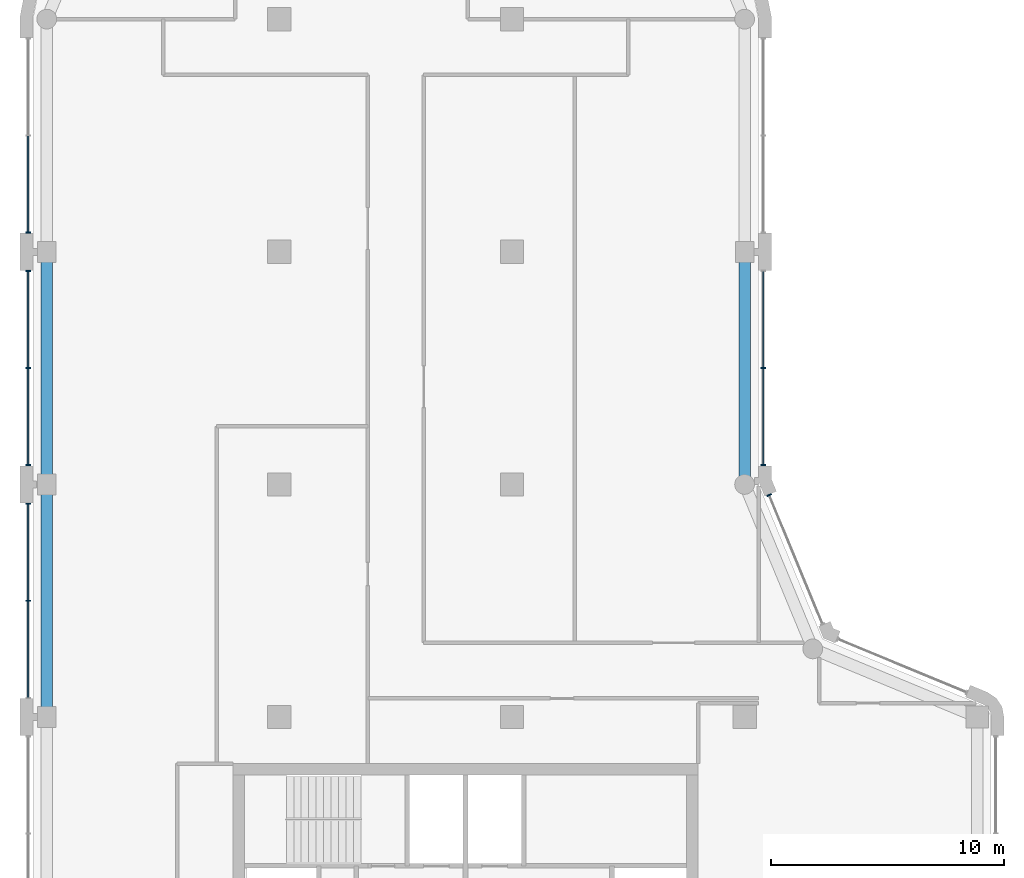
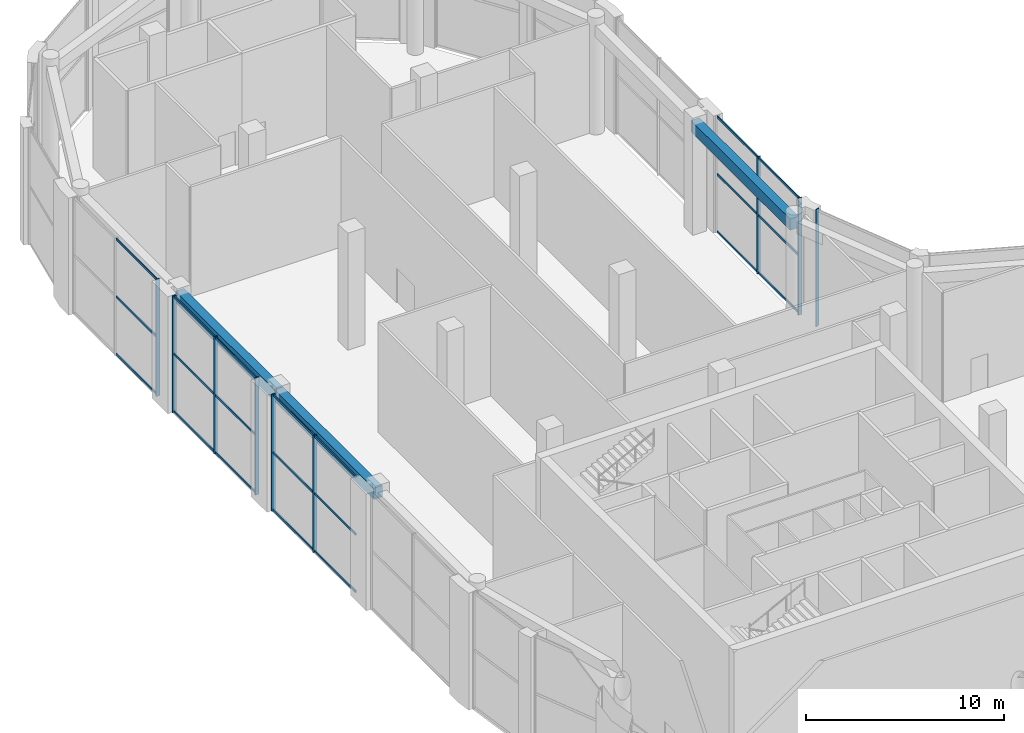
# One storey, part 5 of 14: 30 members, 3 beams, 5 elements without a shape of their own.
"""IFC4 building model written with IfcOpenShell, lengths in metres."""

from ifc_helpers import new_model, si_unit, direction, frame, origin, origin_2d, place, context, subcontext, project, spatial, rectangle, extrude, material, layer, layer_set, material_profile, profile_set, type_object, element, aggregate, save


model = new_model("IFC4")

# Units and contexts
model_context = context("Model", 3, precision=1e-05, world=origin(), true_north=direction((0.0, 1.0)))
body_context = subcontext(model_context, "Body", "Model", "MODEL_VIEW")
ifc_project = project(units=[si_unit("LENGTHUNIT", "METRE"), si_unit("AREAUNIT", "SQUARE_METRE"), si_unit("VOLUMEUNIT", "CUBIC_METRE"), si_unit("PLANEANGLEUNIT", "RADIAN"), si_unit("MASSUNIT", "GRAM", prefix="KILO")], contexts=[model_context])

# Site, building, storey
site_placement = place(None, origin())
site = spatial("IfcSite", under=ifc_project, at=site_placement, CompositionType="ELEMENT")
building_placement = place(site_placement, origin())
building = spatial("IfcBuilding", under=site, at=building_placement, Name="Qaws Garden Tower", CompositionType="ELEMENT")
storey_placement = place(building_placement, frame((0.0, 0.0, 358.199951171875)))
storey = spatial("IfcBuildingStorey", under=building, at=storey_placement, Name="L87", CompositionType="ELEMENT", Elevation=358.199951171875)

# Curtain wall, member
ifc_material_1 = material(Name="Anodised aluminium curtain wall frame", Category="aluminium")
ifc_layer = layer(ifc_material_1, 0.159912109375)
ifc_layer_set = layer_set([ifc_layer], Name="Anodised aluminium curtain wall frame")
curtain_wall_type = type_object("IfcCurtainWallType", Name="CW3 observation glazing curtain wall", PredefinedType="NOTDEFINED", material=ifc_layer_set)
placement = place(storey_placement, origin())
curtain_wall_1 = element("IfcCurtainWall", 1, at=placement, inside=storey, type_object=curtain_wall_type, Name="CW3 Observation glazing 06", PredefinedType="NOTDEFINED")
ifc_material_2 = material(Name="Anodised aluminium curtain wall frame", Category="aluminium")
ifc_material_profile_1 = material_profile(ifc_material_2, rectangle(XDim=0.219970703125, YDim=0.06005859375, at=origin_2d()), Name="AL 60x220")
ifc_profile_set_1 = profile_set([ifc_material_profile_1], Name="Anodised aluminium curtain wall frame")
member_type_1 = type_object("IfcMemberType", Name="CW3 mullion 60 x 220", PredefinedType="MULLION", material=ifc_profile_set_1)
member_1_placement = place(storey_placement, frame((31.056640625, 39.539306640625, 0.0), z_axis=(0.0, 0.0, 1.0), x_axis=(-0.923879532538, -0.382683432301, 0.0)))
member_1 = element("IfcMember", 2, at=member_1_placement, type_object=member_type_1, Name="CW3 mullion 2", PredefinedType="MULLION", context=body_context, shape_type="SweptSolid", body=[
    extrude(rectangle(XDim=0.219970703125, YDim=0.06005859375, at=origin_2d()), origin(), (0.0, 0.0, 1.0), 7.199951171875),
])
aggregate(curtain_wall_1, [member_1])

# Curtain wall, members
curtain_wall_2 = element("IfcCurtainWall", 3, at=placement, inside=storey, type_object=curtain_wall_type, Name="CW3 Observation glazing 07", PredefinedType="NOTDEFINED")
member_2_placement = place(storey_placement, frame((30.800048828125, 40.830078125, 0.0), z_axis=(0.0, 0.0, 1.0), x_axis=(-1.0, 0.0, 0.0)))
member_2 = element("IfcMember", 4, at=member_2_placement, type_object=member_type_1, Name="CW3 mullion 1", PredefinedType="MULLION", context=body_context, shape_type="SweptSolid", body=[
    extrude(rectangle(XDim=0.219970703125, YDim=0.06005859375, at=origin_2d()), origin(), (0.0, 0.0, 1.0), 7.199951171875),
])
member_3_placement = place(storey_placement, frame((30.800048828125, 45.0, 0.0), z_axis=(0.0, 0.0, 1.0), x_axis=(-1.0, 0.0, 0.0)))
member_3 = element("IfcMember", 5, at=member_3_placement, type_object=member_type_1, Name="CW3 mullion 2", PredefinedType="MULLION", context=body_context, shape_type="SweptSolid", body=[
    extrude(rectangle(XDim=0.219970703125, YDim=0.06005859375, at=origin_2d()), origin(), (0.0, 0.0, 1.0), 7.199951171875),
])

# Curtain wall, member
curtain_wall_3 = element("IfcCurtainWall", 6, at=placement, inside=storey, type_object=curtain_wall_type, Name="CW3 Observation glazing 17", PredefinedType="NOTDEFINED")
member_4_placement = place(storey_placement, frame((-0.800048828125, 50.830078125, 0.0), z_axis=(0.0, 0.0, 1.0), x_axis=(1.0, 0.0, 0.0)))
member_4 = element("IfcMember", 7, at=member_4_placement, type_object=member_type_1, Name="CW3 mullion 3", PredefinedType="MULLION", context=body_context, shape_type="SweptSolid", body=[
    extrude(rectangle(XDim=0.219970703125, YDim=0.06005859375, at=origin_2d()), origin(), (0.0, 0.0, 1.0), 7.199951171875),
])

# Curtain wall, members
curtain_wall_4 = element("IfcCurtainWall", 8, at=placement, inside=storey, type_object=curtain_wall_type, Name="CW3 Observation glazing 18", PredefinedType="NOTDEFINED")
member_5_placement = place(storey_placement, frame((-0.800048828125, 49.169921875, 0.0), z_axis=(0.0, 0.0, 1.0), x_axis=(1.0, 0.0, 0.0)))
member_5 = element("IfcMember", 9, at=member_5_placement, type_object=member_type_1, Name="CW3 mullion 1", PredefinedType="MULLION", context=body_context, shape_type="SweptSolid", body=[
    extrude(rectangle(XDim=0.219970703125, YDim=0.06005859375, at=origin_2d()), origin(), (0.0, 0.0, 1.0), 7.199951171875),
])
member_6_placement = place(storey_placement, frame((-0.800048828125, 45.0, 0.0), z_axis=(0.0, 0.0, 1.0), x_axis=(1.0, 0.0, 0.0)))
member_6 = element("IfcMember", 10, at=member_6_placement, type_object=member_type_1, Name="CW3 mullion 2", PredefinedType="MULLION", context=body_context, shape_type="SweptSolid", body=[
    extrude(rectangle(XDim=0.219970703125, YDim=0.06005859375, at=origin_2d()), origin(), (0.0, 0.0, 1.0), 7.199951171875),
])
member_7_placement = place(storey_placement, frame((-0.800048828125, 40.830078125, 0.0), z_axis=(0.0, 0.0, 1.0), x_axis=(1.0, 0.0, 0.0)))
member_7 = element("IfcMember", 11, at=member_7_placement, type_object=member_type_1, Name="CW3 mullion 3", PredefinedType="MULLION", context=body_context, shape_type="SweptSolid", body=[
    extrude(rectangle(XDim=0.219970703125, YDim=0.06005859375, at=origin_2d()), origin(), (0.0, 0.0, 1.0), 7.199951171875),
])

curtain_wall_5 = element("IfcCurtainWall", 12, at=placement, inside=storey, type_object=curtain_wall_type, Name="CW3 Observation glazing 19", PredefinedType="NOTDEFINED")
member_8_placement = place(storey_placement, frame((-0.800048828125, 39.169921875, 0.0), z_axis=(0.0, 0.0, 1.0), x_axis=(1.0, 0.0, 0.0)))
member_8 = element("IfcMember", 13, at=member_8_placement, type_object=member_type_1, Name="CW3 mullion 1", PredefinedType="MULLION", context=body_context, shape_type="SweptSolid", body=[
    extrude(rectangle(XDim=0.219970703125, YDim=0.06005859375, at=origin_2d()), origin(), (0.0, 0.0, 1.0), 7.199951171875),
])
member_9_placement = place(storey_placement, frame((-0.800048828125, 35.0, 0.0), z_axis=(0.0, 0.0, 1.0), x_axis=(1.0, 0.0, 0.0)))
member_9 = element("IfcMember", 14, at=member_9_placement, type_object=member_type_1, Name="CW3 mullion 2", PredefinedType="MULLION", context=body_context, shape_type="SweptSolid", body=[
    extrude(rectangle(XDim=0.219970703125, YDim=0.06005859375, at=origin_2d()), origin(), (0.0, 0.0, 1.0), 7.199951171875),
])

# Member
ifc_material_3 = material(Name="Anodised aluminium curtain wall frame", Category="aluminium")
ifc_material_profile_2 = material_profile(ifc_material_3, rectangle(XDim=0.06005859375, YDim=0.139892578125, at=origin_2d()), Name="AL 60x140")
ifc_profile_set_2 = profile_set([ifc_material_profile_2], Name="Anodised aluminium curtain wall frame")
member_type_2 = type_object("IfcMemberType", Name="CW3 transom 140 x 60", PredefinedType="USERDEFINED", material=ifc_profile_set_2)
member_10_placement = place(storey_placement, frame((30.800048828125, 40.860107421875, 0.070068359375), z_axis=(0.0, 1.0, 0.0), x_axis=(-1.0, 0.0, 0.0)))
member_10 = element("IfcMember", 15, at=member_10_placement, type_object=member_type_2, Name="CW3 transom 1.1", ObjectType="TRANSOM", PredefinedType="USERDEFINED", context=body_context, shape_type="SweptSolid", body=[
    extrude(rectangle(XDim=0.06005859375, YDim=0.139892578125, at=origin_2d()), origin(), (0.0, 0.0, 1.0), 4.10986328125),
])

member_11_placement = place(storey_placement, frame((30.800048828125, 40.860107421875, 3.60009765625), z_axis=(0.0, 1.0, 0.0), x_axis=(-1.0, 0.0, 0.0)))
member_11 = element("IfcMember", 16, at=member_11_placement, type_object=member_type_2, Name="CW3 transom 1.2", ObjectType="TRANSOM", PredefinedType="USERDEFINED", context=body_context, shape_type="SweptSolid", body=[
    extrude(rectangle(XDim=0.06005859375, YDim=0.139892578125, at=origin_2d()), origin(), (0.0, 0.0, 1.0), 4.10986328125),
])

member_12_placement = place(storey_placement, frame((30.800048828125, 40.860107421875, 7.130126953125), z_axis=(0.0, 1.0, 0.0), x_axis=(-1.0, 0.0, 0.0)))
member_12 = element("IfcMember", 17, at=member_12_placement, type_object=member_type_2, Name="CW3 transom 1.3", ObjectType="TRANSOM", PredefinedType="USERDEFINED", context=body_context, shape_type="SweptSolid", body=[
    extrude(rectangle(XDim=0.06005859375, YDim=0.139892578125, at=origin_2d()), origin(), (0.0, 0.0, 1.0), 4.10986328125),
])

member_13_placement = place(storey_placement, frame((30.800048828125, 45.030029296875, 0.070068359375), z_axis=(0.0, 1.0, 0.0), x_axis=(-1.0, 0.0, 0.0)))
member_13 = element("IfcMember", 18, at=member_13_placement, type_object=member_type_2, Name="CW3 transom 2.1", ObjectType="TRANSOM", PredefinedType="USERDEFINED", context=body_context, shape_type="SweptSolid", body=[
    extrude(rectangle(XDim=0.06005859375, YDim=0.139892578125, at=origin_2d()), origin(), (0.0, 0.0, 1.0), 4.10986328125),
])

member_14_placement = place(storey_placement, frame((30.800048828125, 45.030029296875, 3.60009765625), z_axis=(0.0, 1.0, 0.0), x_axis=(-1.0, 0.0, 0.0)))
member_14 = element("IfcMember", 19, at=member_14_placement, type_object=member_type_2, Name="CW3 transom 2.2", ObjectType="TRANSOM", PredefinedType="USERDEFINED", context=body_context, shape_type="SweptSolid", body=[
    extrude(rectangle(XDim=0.06005859375, YDim=0.139892578125, at=origin_2d()), origin(), (0.0, 0.0, 1.0), 4.10986328125),
])

member_15_placement = place(storey_placement, frame((30.800048828125, 45.030029296875, 7.130126953125), z_axis=(0.0, 1.0, 0.0), x_axis=(-1.0, 0.0, 0.0)))
member_15 = element("IfcMember", 20, at=member_15_placement, type_object=member_type_2, Name="CW3 transom 2.3", ObjectType="TRANSOM", PredefinedType="USERDEFINED", context=body_context, shape_type="SweptSolid", body=[
    extrude(rectangle(XDim=0.06005859375, YDim=0.139892578125, at=origin_2d()), origin(), (0.0, 0.0, 1.0), 4.10986328125),
])

aggregate(curtain_wall_2, [member_2, member_3, member_10, member_11, member_12, member_13, member_14, member_15])

member_16_placement = place(storey_placement, frame((-0.800048828125, 54.969970703125, 0.070068359375), z_axis=(0.0, -1.0, 0.0), x_axis=(1.0, 0.0, 0.0)))
member_16 = element("IfcMember", 21, at=member_16_placement, type_object=member_type_2, Name="CW3 transom 2.1", ObjectType="TRANSOM", PredefinedType="USERDEFINED", context=body_context, shape_type="SweptSolid", body=[
    extrude(rectangle(XDim=0.06005859375, YDim=0.139892578125, at=origin_2d()), origin(), (0.0, 0.0, 1.0), 4.10986328125),
])

member_17_placement = place(storey_placement, frame((-0.800048828125, 54.969970703125, 3.60009765625), z_axis=(0.0, -1.0, 0.0), x_axis=(1.0, 0.0, 0.0)))
member_17 = element("IfcMember", 22, at=member_17_placement, type_object=member_type_2, Name="CW3 transom 2.2", ObjectType="TRANSOM", PredefinedType="USERDEFINED", context=body_context, shape_type="SweptSolid", body=[
    extrude(rectangle(XDim=0.06005859375, YDim=0.139892578125, at=origin_2d()), origin(), (0.0, 0.0, 1.0), 4.10986328125),
])

member_18_placement = place(storey_placement, frame((-0.800048828125, 54.969970703125, 7.130126953125), z_axis=(0.0, -1.0, 0.0), x_axis=(1.0, 0.0, 0.0)))
member_18 = element("IfcMember", 23, at=member_18_placement, type_object=member_type_2, Name="CW3 transom 2.3", ObjectType="TRANSOM", PredefinedType="USERDEFINED", context=body_context, shape_type="SweptSolid", body=[
    extrude(rectangle(XDim=0.06005859375, YDim=0.139892578125, at=origin_2d()), origin(), (0.0, 0.0, 1.0), 4.10986328125),
])

aggregate(curtain_wall_3, [member_4, member_16, member_17, member_18])

member_19_placement = place(storey_placement, frame((-0.800048828125, 49.139892578125, 0.070068359375), z_axis=(0.0, -1.0, 0.0), x_axis=(1.0, 0.0, 0.0)))
member_19 = element("IfcMember", 24, at=member_19_placement, type_object=member_type_2, Name="CW3 transom 1.1", ObjectType="TRANSOM", PredefinedType="USERDEFINED", context=body_context, shape_type="SweptSolid", body=[
    extrude(rectangle(XDim=0.06005859375, YDim=0.139892578125, at=origin_2d()), origin(), (0.0, 0.0, 1.0), 4.10986328125),
])

member_20_placement = place(storey_placement, frame((-0.800048828125, 49.139892578125, 3.60009765625), z_axis=(0.0, -1.0, 0.0), x_axis=(1.0, 0.0, 0.0)))
member_20 = element("IfcMember", 25, at=member_20_placement, type_object=member_type_2, Name="CW3 transom 1.2", ObjectType="TRANSOM", PredefinedType="USERDEFINED", context=body_context, shape_type="SweptSolid", body=[
    extrude(rectangle(XDim=0.06005859375, YDim=0.139892578125, at=origin_2d()), origin(), (0.0, 0.0, 1.0), 4.10986328125),
])

member_21_placement = place(storey_placement, frame((-0.800048828125, 49.139892578125, 7.130126953125), z_axis=(0.0, -1.0, 0.0), x_axis=(1.0, 0.0, 0.0)))
member_21 = element("IfcMember", 26, at=member_21_placement, type_object=member_type_2, Name="CW3 transom 1.3", ObjectType="TRANSOM", PredefinedType="USERDEFINED", context=body_context, shape_type="SweptSolid", body=[
    extrude(rectangle(XDim=0.06005859375, YDim=0.139892578125, at=origin_2d()), origin(), (0.0, 0.0, 1.0), 4.10986328125),
])

member_22_placement = place(storey_placement, frame((-0.800048828125, 44.969970703125, 0.070068359375), z_axis=(0.0, -1.0, 0.0), x_axis=(1.0, 0.0, 0.0)))
member_22 = element("IfcMember", 27, at=member_22_placement, type_object=member_type_2, Name="CW3 transom 2.1", ObjectType="TRANSOM", PredefinedType="USERDEFINED", context=body_context, shape_type="SweptSolid", body=[
    extrude(rectangle(XDim=0.06005859375, YDim=0.139892578125, at=origin_2d()), origin(), (0.0, 0.0, 1.0), 4.10986328125),
])

member_23_placement = place(storey_placement, frame((-0.800048828125, 44.969970703125, 3.60009765625), z_axis=(0.0, -1.0, 0.0), x_axis=(1.0, 0.0, 0.0)))
member_23 = element("IfcMember", 28, at=member_23_placement, type_object=member_type_2, Name="CW3 transom 2.2", ObjectType="TRANSOM", PredefinedType="USERDEFINED", context=body_context, shape_type="SweptSolid", body=[
    extrude(rectangle(XDim=0.06005859375, YDim=0.139892578125, at=origin_2d()), origin(), (0.0, 0.0, 1.0), 4.10986328125),
])

member_24_placement = place(storey_placement, frame((-0.800048828125, 44.969970703125, 7.130126953125), z_axis=(0.0, -1.0, 0.0), x_axis=(1.0, 0.0, 0.0)))
member_24 = element("IfcMember", 29, at=member_24_placement, type_object=member_type_2, Name="CW3 transom 2.3", ObjectType="TRANSOM", PredefinedType="USERDEFINED", context=body_context, shape_type="SweptSolid", body=[
    extrude(rectangle(XDim=0.06005859375, YDim=0.139892578125, at=origin_2d()), origin(), (0.0, 0.0, 1.0), 4.10986328125),
])

aggregate(curtain_wall_4, [member_5, member_6, member_7, member_19, member_20, member_21, member_22, member_23, member_24])

member_25_placement = place(storey_placement, frame((-0.800048828125, 39.139892578125, 0.070068359375), z_axis=(0.0, -1.0, 0.0), x_axis=(1.0, 0.0, 0.0)))
member_25 = element("IfcMember", 30, at=member_25_placement, type_object=member_type_2, Name="CW3 transom 1.1", ObjectType="TRANSOM", PredefinedType="USERDEFINED", context=body_context, shape_type="SweptSolid", body=[
    extrude(rectangle(XDim=0.06005859375, YDim=0.139892578125, at=origin_2d()), origin(), (0.0, 0.0, 1.0), 4.10986328125),
])

member_26_placement = place(storey_placement, frame((-0.800048828125, 39.139892578125, 3.60009765625), z_axis=(0.0, -1.0, 0.0), x_axis=(1.0, 0.0, 0.0)))
member_26 = element("IfcMember", 31, at=member_26_placement, type_object=member_type_2, Name="CW3 transom 1.2", ObjectType="TRANSOM", PredefinedType="USERDEFINED", context=body_context, shape_type="SweptSolid", body=[
    extrude(rectangle(XDim=0.06005859375, YDim=0.139892578125, at=origin_2d()), origin(), (0.0, 0.0, 1.0), 4.10986328125),
])

member_27_placement = place(storey_placement, frame((-0.800048828125, 39.139892578125, 7.130126953125), z_axis=(0.0, -1.0, 0.0), x_axis=(1.0, 0.0, 0.0)))
member_27 = element("IfcMember", 32, at=member_27_placement, type_object=member_type_2, Name="CW3 transom 1.3", ObjectType="TRANSOM", PredefinedType="USERDEFINED", context=body_context, shape_type="SweptSolid", body=[
    extrude(rectangle(XDim=0.06005859375, YDim=0.139892578125, at=origin_2d()), origin(), (0.0, 0.0, 1.0), 4.10986328125),
])

member_28_placement = place(storey_placement, frame((-0.800048828125, 34.969970703125, 0.070068359375), z_axis=(0.0, -1.0, 0.0), x_axis=(1.0, 0.0, 0.0)))
member_28 = element("IfcMember", 33, at=member_28_placement, type_object=member_type_2, Name="CW3 transom 2.1", ObjectType="TRANSOM", PredefinedType="USERDEFINED", context=body_context, shape_type="SweptSolid", body=[
    extrude(rectangle(XDim=0.06005859375, YDim=0.139892578125, at=origin_2d()), origin(), (0.0, 0.0, 1.0), 4.10986328125),
])

member_29_placement = place(storey_placement, frame((-0.800048828125, 34.969970703125, 3.60009765625), z_axis=(0.0, -1.0, 0.0), x_axis=(1.0, 0.0, 0.0)))
member_29 = element("IfcMember", 34, at=member_29_placement, type_object=member_type_2, Name="CW3 transom 2.2", ObjectType="TRANSOM", PredefinedType="USERDEFINED", context=body_context, shape_type="SweptSolid", body=[
    extrude(rectangle(XDim=0.06005859375, YDim=0.139892578125, at=origin_2d()), origin(), (0.0, 0.0, 1.0), 4.10986328125),
])

member_30_placement = place(storey_placement, frame((-0.800048828125, 34.969970703125, 7.130126953125), z_axis=(0.0, -1.0, 0.0), x_axis=(1.0, 0.0, 0.0)))
member_30 = element("IfcMember", 35, at=member_30_placement, type_object=member_type_2, Name="CW3 transom 2.3", ObjectType="TRANSOM", PredefinedType="USERDEFINED", context=body_context, shape_type="SweptSolid", body=[
    extrude(rectangle(XDim=0.06005859375, YDim=0.139892578125, at=origin_2d()), origin(), (0.0, 0.0, 1.0), 4.10986328125),
])

aggregate(curtain_wall_5, [member_8, member_9, member_25, member_26, member_27, member_28, member_29, member_30])

# Beams
ifc_material_4 = material(Name="Concrete C45", Category="concrete")
ifc_material_profile_3 = material_profile(ifc_material_4, rectangle(XDim=0.5, YDim=0.699951171875, at=origin_2d()), Name="RC 500x700")
ifc_profile_set_3 = profile_set([ifc_material_profile_3], Name="Concrete C45")
beam_type = type_object("IfcBeamType", Name="Spandrel beam RC 500x700 C45", PredefinedType="SPANDREL", material=ifc_profile_set_3)
for number, where, z_axis, x_axis, name in (
    (36, (30.0, 40.0, 6.400146484375), (0.0, 1.0, 0.0), (-1.0, 0.0, 0.0), "Spandrel beam L87-008"),
    (37, (0.0, 50.0, 6.400146484375), (0.0, -1.0, 0.0), (1.0, 0.0, 0.0), "Spandrel beam L87-015"),
    (38, (0.0, 40.0, 6.400146484375), (0.0, -1.0, 0.0), (1.0, 0.0, 0.0), "Spandrel beam L87-016"),
):
    element("IfcBeam", number, at=place(storey_placement, frame(where, z_axis=z_axis, x_axis=x_axis)), inside=storey, type_object=beam_type, Name=name, PredefinedType="SPANDREL", context=body_context, shape_type="SweptSolid", body=[
        extrude(rectangle(XDim=0.5, YDim=0.699951171875, at=origin_2d()), origin(), (0.0, 0.0, 1.0), 10.0),
    ])

save(model, "model.ifc")
